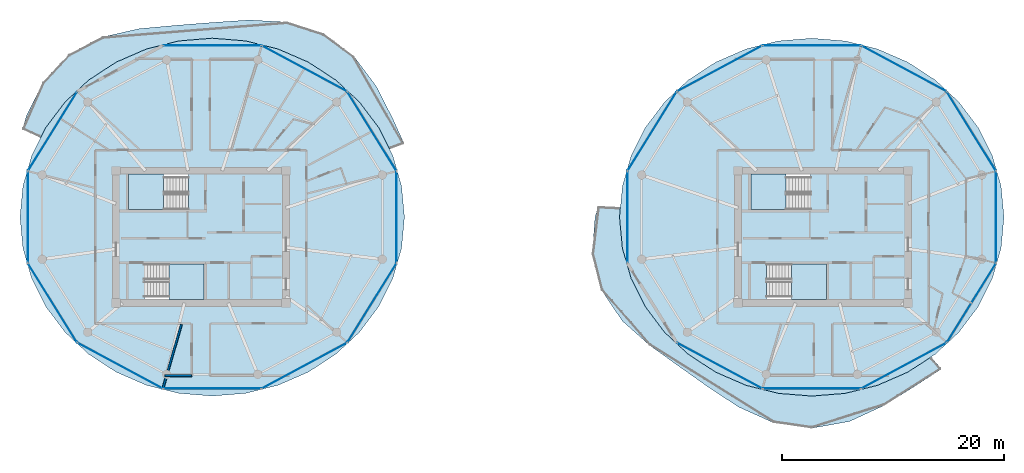
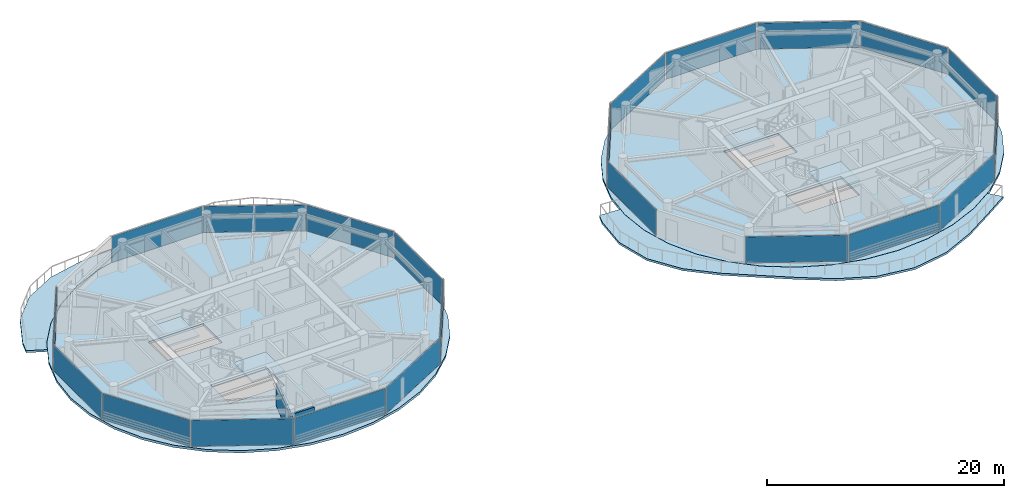
# One storey, part 11 of 21: 22 plates, 8 slabs, 2 walls, 26 elements without a shape of their own.
"""IFC4 building model written with IfcOpenShell, lengths in metres."""

from ifc_helpers import new_model, si_unit, direction, frame, frame_2d, origin, origin_2d, place, context, subcontext, project, spatial, polyline, rectangle, outline, extrude, source, transform, mapped, material, layer, layer_set, type_object, type_shapes, element, aggregate, save


model = new_model("IFC4")

# Units and contexts
model_context = context("Model", 3, precision=1e-05, world=origin(), true_north=direction((0.0, 1.0)))
body_context = subcontext(model_context, "Body", "Model", "MODEL_VIEW")
ifc_project = project(units=[si_unit("LENGTHUNIT", "METRE"), si_unit("AREAUNIT", "SQUARE_METRE"), si_unit("VOLUMEUNIT", "CUBIC_METRE"), si_unit("PLANEANGLEUNIT", "RADIAN"), si_unit("MASSUNIT", "GRAM", prefix="KILO")], contexts=[model_context])

# Site, building, storey
site_placement = place(None, origin())
site = spatial("IfcSite", under=ifc_project, at=site_placement, CompositionType="ELEMENT")
building_placement = place(site_placement, origin())
building = spatial("IfcBuilding", under=site, at=building_placement, Name="Norrkilde Senior Care Towers", CompositionType="ELEMENT")
storey_placement = place(building_placement, frame((0.0, 0.0, 149.550048828125)))
storey = spatial("IfcBuildingStorey", under=building, at=storey_placement, Name="L46", CompositionType="ELEMENT", Elevation=149.550048828125)

# Slabs
ifc_material_1 = material(Name="Concrete C50/60", Category="concrete")
ifc_layer_1 = layer(ifc_material_1, 0.215087890625)
ifc_layer_set_1 = layer_set([ifc_layer_1], Name="Concrete C50/60")
slab_type_1 = type_object("IfcSlabType", Name="Sinusoidal Balcony Ribbon Slab 215", PredefinedType="FLOOR", material=ifc_layer_set_1)
slab_1_placement = place(storey_placement, frame((0.0, 0.0, -0.215087890625)))
element("IfcSlab", 1, at=slab_1_placement, inside=storey, type_object=slab_type_1, Name="L46 Drum W Swirling Senior Balcony 1", PredefinedType="FLOOR", context=body_context, shape_type="SweptSolid", body=[
    extrude(outline(polyline([(-42.20556640625, 13.90771484375), (-39.87890625, 16.392822265625), (-36.846435546875, 17.991455078125), (-33.513427734375, 18.739501953125), (-30.21044921875, 19.040283203125), (-26.97509765625, 19.292236328125), (-23.661376953125, 19.516845703125), (-20.2373046875, 19.32763671875), (-16.954345703125, 18.269287109375), (-14.203857421875, 16.222900390625), (-12.184326171875, 13.510986328125), (-10.7197265625, 10.614990234375), (-9.71435546875, 8.389892578125), (-11.017822265625, 7.890380859375), (-11.988525390625, 9.827880859375), (-13.718505859375, 12.12744140625), (-15.8515625, 14.112548828125), (-18.322509765625, 15.72265625), (-21.056396484375, 16.9091796875), (-23.969970703125, 17.6357421875), (-26.97509765625, 17.88037109375), (-29.97998046875, 17.6357421875), (-32.8935546875, 16.9091796875), (-35.62744140625, 15.72265625), (-38.098388671875, 14.112548828125), (-40.2314453125, 12.12744140625), (-41.961669921875, 9.827880859375), (-42.4169921875, 8.9189453125), (-44.05908203125, 9.6787109375), (-43.694091796875, 10.90283203125), (-42.20556640625, 13.90771484375)])), origin(), (0.0, 0.0, 1.0), 0.215087890625),
])
slab_2_placement = place(storey_placement, frame((0.0, 0.0, -0.215087890625)))
element("IfcSlab", 2, at=slab_2_placement, inside=storey, type_object=slab_type_1, Name="L46 Drum E Swirling Senior Balcony 1", PredefinedType="FLOOR", context=body_context, shape_type="SweptSolid", body=[
    extrude(outline(polyline([(33.505126953125, -15.1640625), (30.393310546875, -16.604736328125), (26.97509765625, -17.220458984375), (23.53662109375, -16.72705078125), (20.3935546875, -15.315185546875), (17.615966796875, -13.4873046875), (15.009765625, -11.64013671875), (12.396484375, -9.76904296875), (9.919189453125, -7.56103515625), (8.04541015625, -4.776611328125), (7.21875, -1.53564453125), (7.468994140625, 1.775390625), (7.750244140625, 2.73095703125), (9.75048828125, 2.631591796875), (9.669921875, 1.775390625), (9.932861328125, -1.021240234375), (10.713623046875, -3.73291015625), (11.988525390625, -6.277099609375), (13.718505859375, -8.57666015625), (15.8515625, -10.561767578125), (18.322509765625, -12.171875), (21.056396484375, -13.3583984375), (23.969970703125, -14.0849609375), (26.97509765625, -14.32958984375), (29.97998046875, -14.0849609375), (32.8935546875, -13.3583984375), (35.62744140625, -12.171875), (37.718994140625, -10.80908203125), (38.646728515625, -11.895751953125), (36.295654296875, -13.415771484375), (33.505126953125, -15.1640625)])), origin(), (0.0, 0.0, 1.0), 0.215087890625),
])

# Stair, slab
ifc_material_2 = material(Name="Concrete C45/55", Category="concrete")
stair_type = type_object("IfcStairType", Name="Core Protected Dogleg Stair Typical 3050", PredefinedType="HALF_TURN_STAIR", material=ifc_material_2)
stair_1_placement = place(storey_placement, origin())
stair_1 = element("IfcStair", 3, at=stair_1_placement, inside=storey, type_object=stair_type, Name="L46 Protected Core Stair W1", PredefinedType="HALF_TURN_STAIR")
ifc_layer_2 = layer(ifc_material_2, 0.199951171875)
ifc_layer_set_2 = layer_set([ifc_layer_2], Name="Concrete C45/55")
slab_type_2 = type_object("IfcSlabType", Name="Stair Landing Slab 200", PredefinedType="LANDING", material=ifc_layer_set_2)
slab_3_placement = place(storey_placement, frame((0.0, 0.0, 1.324951171875)))
slab_3 = element("IfcSlab", 4, at=slab_3_placement, type_object=slab_type_2, Name="ST-W1 landing 1", PredefinedType="LANDING", context=body_context, shape_type="SweptSolid", body=[
    extrude(outline(polyline([(-31.340087890625, 5.639892578125), (-34.5, 5.639892578125), (-34.5, 2.449951171875), (-31.340087890625, 2.449951171875), (-31.340087890625, 5.639892578125)])), origin(), (0.0, 0.0, 1.0), 0.199951171875),
])
aggregate(stair_1, [slab_3])

stair_2_placement = place(storey_placement, origin())
stair_2 = element("IfcStair", 5, at=stair_2_placement, inside=storey, type_object=stair_type, Name="L46 Protected Core Stair W2", PredefinedType="HALF_TURN_STAIR")
slab_4_placement = place(storey_placement, frame((0.0, 0.0, 1.324951171875)))
slab_4 = element("IfcSlab", 6, at=slab_4_placement, type_object=slab_type_2, Name="ST-W2 landing 1", PredefinedType="LANDING", context=body_context, shape_type="SweptSolid", body=[
    extrude(outline(polyline([(-30.860107421875, -5.639892578125), (-27.699951171875, -5.639892578125), (-27.699951171875, -2.449951171875), (-30.860107421875, -2.449951171875), (-30.860107421875, -5.639892578125)])), origin(), (0.0, 0.0, 1.0), 0.199951171875),
])
aggregate(stair_2, [slab_4])

stair_3_placement = place(storey_placement, origin())
stair_3 = element("IfcStair", 7, at=stair_3_placement, inside=storey, type_object=stair_type, Name="L46 Protected Core Stair E1", PredefinedType="HALF_TURN_STAIR")
slab_5_placement = place(storey_placement, frame((0.0, 0.0, 1.324951171875)))
slab_5 = element("IfcSlab", 8, at=slab_5_placement, type_object=slab_type_2, Name="ST-E1 landing 1", PredefinedType="LANDING", context=body_context, shape_type="SweptSolid", body=[
    extrude(outline(polyline([(24.659912109375, 5.639892578125), (21.5, 5.639892578125), (21.5, 2.449951171875), (24.659912109375, 2.449951171875), (24.659912109375, 5.639892578125)])), origin(), (0.0, 0.0, 1.0), 0.199951171875),
])
aggregate(stair_3, [slab_5])

stair_4_placement = place(storey_placement, origin())
stair_4 = element("IfcStair", 9, at=stair_4_placement, inside=storey, type_object=stair_type, Name="L46 Protected Core Stair E2", PredefinedType="HALF_TURN_STAIR")
slab_6_placement = place(storey_placement, frame((0.0, 0.0, 1.324951171875)))
slab_6 = element("IfcSlab", 10, at=slab_6_placement, type_object=slab_type_2, Name="ST-E2 landing 1", PredefinedType="LANDING", context=body_context, shape_type="SweptSolid", body=[
    extrude(outline(polyline([(25.139892578125, -5.639892578125), (28.300048828125, -5.639892578125), (28.300048828125, -2.449951171875), (25.139892578125, -2.449951171875), (25.139892578125, -5.639892578125)])), origin(), (0.0, 0.0, 1.0), 0.199951171875),
])
aggregate(stair_4, [slab_6])

# Slabs
ifc_layer_3 = layer(ifc_material_1, 0.239990234375)
ifc_layer_set_3 = layer_set([ifc_layer_3], Name="Concrete C50/60")
slab_type_3 = type_object("IfcSlabType", Name="Tower Residence Floor Slab 240", PredefinedType="FLOOR", material=ifc_layer_set_3)
slab_7_placement = place(storey_placement, frame((0.0, 0.0, -0.239990234375)))
element("IfcSlab", 11, at=slab_7_placement, inside=storey, type_object=slab_type_3, Name="L46 Drum W Structural Floor Slab", PredefinedType="FLOOR", context=body_context, shape_type="SweptSolid", body=[
    extrude(outline(polyline([(-10.71826171875, -3.731201171875), (-11.99267578125, -6.274658203125), (-13.722412109375, -8.573486328125), (-15.854736328125, -10.557861328125), (-18.324951171875, -12.167724609375), (-21.05810546875, -13.353759765625), (-23.970947265625, -14.080078125), (-26.97509765625, -14.32470703125), (-29.97900390625, -14.080078125), (-32.891845703125, -13.353759765625), (-35.625, -12.167724609375), (-38.09521484375, -10.557861328125), (-40.2275390625, -8.573486328125), (-41.957275390625, -6.274658203125), (-43.231689453125, -3.731201171875), (-44.01220703125, -1.020263671875), (-44.27490234375, 1.775390625), (-44.01220703125, 4.571044921875), (-43.231689453125, 7.281982421875), (-41.957275390625, 9.825439453125), (-40.2275390625, 12.124267578125), (-38.09521484375, 14.108642578125), (-35.625, 15.71826171875), (-32.891845703125, 16.904296875), (-29.97900390625, 17.630859375), (-26.97509765625, 17.875244140625), (-23.970947265625, 17.630859375), (-21.05810546875, 16.904296875), (-18.324951171875, 15.71826171875), (-15.854736328125, 14.108642578125), (-13.722412109375, 12.124267578125), (-11.99267578125, 9.825439453125), (-10.71826171875, 7.281982421875), (-9.937744140625, 4.571044921875), (-9.675048828125, 1.775390625), (-9.937744140625, -1.020263671875), (-10.71826171875, -3.731201171875)]), holes=[polyline([(-34.48193359375, 2.468017578125), (-29.117919921875, 2.468017578125), (-29.117919921875, 5.639892578125), (-34.48193359375, 5.639892578125), (-34.48193359375, 2.468017578125)]), polyline([(-27.718017578125, -5.639892578125), (-27.718017578125, -2.468017578125), (-33.08203125, -2.468017578125), (-33.08203125, -5.639892578125), (-27.718017578125, -5.639892578125)])]), origin(), (0.0, 0.0, 1.0), 0.239990234375),
])
slab_8_placement = place(storey_placement, frame((0.0, 0.0, -0.239990234375)))
element("IfcSlab", 12, at=slab_8_placement, inside=storey, type_object=slab_type_3, Name="L46 Drum E Structural Floor Slab", PredefinedType="FLOOR", context=body_context, shape_type="SweptSolid", body=[
    extrude(outline(polyline([(43.231689453125, -3.731201171875), (41.957275390625, -6.274658203125), (40.2275390625, -8.573486328125), (38.09521484375, -10.557861328125), (35.625, -12.167724609375), (32.891845703125, -13.353759765625), (29.97900390625, -14.080078125), (26.97509765625, -14.32470703125), (23.970947265625, -14.080078125), (21.05810546875, -13.353759765625), (18.324951171875, -12.167724609375), (15.854736328125, -10.557861328125), (13.722412109375, -8.573486328125), (11.99267578125, -6.274658203125), (10.71826171875, -3.731201171875), (9.937744140625, -1.020263671875), (9.675048828125, 1.775390625), (9.937744140625, 4.571044921875), (10.71826171875, 7.281982421875), (11.99267578125, 9.825439453125), (13.722412109375, 12.124267578125), (15.854736328125, 14.108642578125), (18.324951171875, 15.71826171875), (21.05810546875, 16.904296875), (23.970947265625, 17.630859375), (26.97509765625, 17.875244140625), (29.97900390625, 17.630859375), (32.891845703125, 16.904296875), (35.625, 15.71826171875), (38.09521484375, 14.108642578125), (40.2275390625, 12.124267578125), (41.957275390625, 9.825439453125), (43.231689453125, 7.281982421875), (44.01220703125, 4.571044921875), (44.27490234375, 1.775390625), (44.01220703125, -1.020263671875), (43.231689453125, -3.731201171875)]), holes=[polyline([(21.51806640625, 2.468017578125), (26.882080078125, 2.468017578125), (26.882080078125, 5.639892578125), (21.51806640625, 5.639892578125), (21.51806640625, 2.468017578125)]), polyline([(28.281982421875, -5.639892578125), (28.281982421875, -2.468017578125), (22.91796875, -2.468017578125), (22.91796875, -5.639892578125), (28.281982421875, -5.639892578125)])]), origin(), (0.0, 0.0, 1.0), 0.239990234375),
])

# Curtain wall, plate
ifc_material_3 = material(Name="Triple Low-E Insulated Glazing", Category="glass")
ifc_layer_4 = layer(ifc_material_3, 0.18994140625)
ifc_layer_set_4 = layer_set([ifc_layer_4], Name="Triple Low-E Insulated Glazing")
curtain_wall_type = type_object("IfcCurtainWallType", Name="CW4 Zone 3 Senior Residence Curtain Wall", PredefinedType="NOTDEFINED", material=ifc_layer_set_4)
curtain_wall_1_placement = place(storey_placement, origin())
curtain_wall_1 = element("IfcCurtainWall", 13, at=curtain_wall_1_placement, inside=storey, type_object=curtain_wall_type, Name="L46 Drum W Curtain Wall 00", PredefinedType="NOTDEFINED")
ifc_layer_5 = layer(ifc_material_3, 0.035888671875)
ifc_layer_set_5 = layer_set([ifc_layer_5], Name="Triple Low-E Insulated Glazing")
plate_type = type_object("IfcPlateType", Name="Triple Low-E Vision Curtain Panel 36", PredefinedType="CURTAIN_PANEL", material=ifc_layer_set_5)
shared_shape_1 = source(origin(), body_context, "Body", "SweptSolid", [
    extrude(rectangle(XDim=8.301513671875, YDim=0.035888671875, at=origin_2d()), origin(), (0.0, 0.0, 1.0), 2.68994140625),
])
plate_1_placement = place(storey_placement, frame((-12.603759765625, 9.4931640625, 0.06005859375), z_axis=(0.0, 0.0, 1.0), x_axis=(0.52737270789, -0.84963405474, 0.0)))
plate_1 = element("IfcPlate", 14, at=plate_1_placement, type_object=plate_type, Name="CW-4 panel 1.1", PredefinedType="CURTAIN_PANEL", context=body_context, shape_type="MappedRepresentation", body=[
    mapped(shared_shape_1, transform((0.0, 0.0, 0.0), x_axis=(1.0, 0.0, 0.0), y_axis=(0.0, 1.0, 0.0), z_axis=(0.0, 0.0, 1.0), scale=1.0)),
])
aggregate(curtain_wall_1, [plate_1])

curtain_wall_2_placement = place(storey_placement, origin())
curtain_wall_2 = element("IfcCurtainWall", 15, at=curtain_wall_2_placement, inside=storey, type_object=curtain_wall_type, Name="L46 Drum W Curtain Wall 04", PredefinedType="NOTDEFINED")
plate_2_placement = place(storey_placement, frame((-41.346435546875, 9.4931640625, 0.06005859375), z_axis=(0.0, 0.0, 1.0), x_axis=(0.52737270789, 0.84963405474, 0.0)))
plate_2 = element("IfcPlate", 16, at=plate_2_placement, type_object=plate_type, Name="CW-4 panel 1.1", PredefinedType="CURTAIN_PANEL", context=body_context, shape_type="MappedRepresentation", body=[
    mapped(shared_shape_1, transform((0.0, 0.0, 0.0), x_axis=(1.0, 0.0, 0.0), y_axis=(0.0, 1.0, 0.0), z_axis=(0.0, 0.0, 1.0), scale=1.0)),
])
aggregate(curtain_wall_2, [plate_2])

curtain_wall_3_placement = place(storey_placement, origin())
curtain_wall_3 = element("IfcCurtainWall", 17, at=curtain_wall_3_placement, inside=storey, type_object=curtain_wall_type, Name="L46 Drum W Curtain Wall 06", PredefinedType="NOTDEFINED")
plate_3_placement = place(storey_placement, frame((-41.346435546875, -5.9423828125, 0.06005859375), z_axis=(0.0, 0.0, 1.0), x_axis=(-0.52737270789, 0.84963405474, 0.0)))
plate_3 = element("IfcPlate", 18, at=plate_3_placement, type_object=plate_type, Name="CW-4 panel 1.1", PredefinedType="CURTAIN_PANEL", context=body_context, shape_type="MappedRepresentation", body=[
    mapped(shared_shape_1, transform((0.0, 0.0, 0.0), x_axis=(1.0, 0.0, 0.0), y_axis=(0.0, 1.0, 0.0), z_axis=(0.0, 0.0, 1.0), scale=1.0)),
])
aggregate(curtain_wall_3, [plate_3])

curtain_wall_4_placement = place(storey_placement, origin())
curtain_wall_4 = element("IfcCurtainWall", 19, at=curtain_wall_4_placement, inside=storey, type_object=curtain_wall_type, Name="L46 Drum W Curtain Wall 10", PredefinedType="NOTDEFINED")
plate_4_placement = place(storey_placement, frame((-12.603759765625, -5.9423828125, 0.06005859375), z_axis=(0.0, 0.0, 1.0), x_axis=(-0.52737270789, -0.84963405474, 0.0)))
plate_4 = element("IfcPlate", 20, at=plate_4_placement, type_object=plate_type, Name="CW-4 panel 1.1", PredefinedType="CURTAIN_PANEL", context=body_context, shape_type="MappedRepresentation", body=[
    mapped(shared_shape_1, transform((0.0, 0.0, 0.0), x_axis=(1.0, 0.0, 0.0), y_axis=(0.0, 1.0, 0.0), z_axis=(0.0, 0.0, 1.0), scale=1.0)),
])
aggregate(curtain_wall_4, [plate_4])

curtain_wall_5_placement = place(storey_placement, origin())
curtain_wall_5 = element("IfcCurtainWall", 21, at=curtain_wall_5_placement, inside=storey, type_object=curtain_wall_type, Name="L46 Drum E Curtain Wall 00", PredefinedType="NOTDEFINED")
plate_5_placement = place(storey_placement, frame((41.346435546875, 9.4931640625, 0.06005859375), z_axis=(0.0, 0.0, 1.0), x_axis=(0.52737270789, -0.84963405474, 0.0)))
plate_5 = element("IfcPlate", 22, at=plate_5_placement, type_object=plate_type, Name="CW-4 panel 1.1", PredefinedType="CURTAIN_PANEL", context=body_context, shape_type="MappedRepresentation", body=[
    mapped(shared_shape_1, transform((0.0, 0.0, 0.0), x_axis=(1.0, 0.0, 0.0), y_axis=(0.0, 1.0, 0.0), z_axis=(0.0, 0.0, 1.0), scale=1.0)),
])
aggregate(curtain_wall_5, [plate_5])

curtain_wall_6_placement = place(storey_placement, origin())
curtain_wall_6 = element("IfcCurtainWall", 23, at=curtain_wall_6_placement, inside=storey, type_object=curtain_wall_type, Name="L46 Drum E Curtain Wall 04", PredefinedType="NOTDEFINED")
plate_6_placement = place(storey_placement, frame((12.603759765625, 9.4931640625, 0.06005859375), z_axis=(0.0, 0.0, 1.0), x_axis=(0.52737270789, 0.84963405474, 0.0)))
plate_6 = element("IfcPlate", 24, at=plate_6_placement, type_object=plate_type, Name="CW-4 panel 1.1", PredefinedType="CURTAIN_PANEL", context=body_context, shape_type="MappedRepresentation", body=[
    mapped(shared_shape_1, transform((0.0, 0.0, 0.0), x_axis=(1.0, 0.0, 0.0), y_axis=(0.0, 1.0, 0.0), z_axis=(0.0, 0.0, 1.0), scale=1.0)),
])
aggregate(curtain_wall_6, [plate_6])

curtain_wall_7_placement = place(storey_placement, origin())
curtain_wall_7 = element("IfcCurtainWall", 25, at=curtain_wall_7_placement, inside=storey, type_object=curtain_wall_type, Name="L46 Drum E Curtain Wall 10", PredefinedType="NOTDEFINED")
plate_7_placement = place(storey_placement, frame((41.346435546875, -5.9423828125, 0.06005859375), z_axis=(0.0, 0.0, 1.0), x_axis=(-0.52737270789, -0.84963405474, 0.0)))
plate_7 = element("IfcPlate", 26, at=plate_7_placement, type_object=plate_type, Name="CW-4 panel 1.1", PredefinedType="CURTAIN_PANEL", context=body_context, shape_type="MappedRepresentation", body=[
    mapped(shared_shape_1, transform((0.0, 0.0, 0.0), x_axis=(1.0, 0.0, 0.0), y_axis=(0.0, 1.0, 0.0), z_axis=(0.0, 0.0, 1.0), scale=1.0)),
])
aggregate(curtain_wall_7, [plate_7])

curtain_wall_8_placement = place(storey_placement, origin())
curtain_wall_8 = element("IfcCurtainWall", 27, at=curtain_wall_8_placement, inside=storey, type_object=curtain_wall_type, Name="L46 Drum W Curtain Wall 01", PredefinedType="NOTDEFINED")
shared_shape_2 = source(origin(), body_context, "Body", "SweptSolid", [
    extrude(rectangle(XDim=8.61181640625, YDim=0.035888671875, at=origin_2d()), origin(), (0.0, 0.0, 1.0), 2.68994140625),
])
plate_8_placement = place(storey_placement, frame((-18.677734375, 15.142822265625, 0.06005859375), z_axis=(0.0, 0.0, 1.0), x_axis=(0.880999524059, -0.47311715104, 0.0)))
plate_8 = element("IfcPlate", 28, at=plate_8_placement, type_object=plate_type, Name="CW-4 panel 1.1", PredefinedType="CURTAIN_PANEL", context=body_context, shape_type="MappedRepresentation", body=[
    mapped(shared_shape_2, transform((0.0, 0.0, 0.0), x_axis=(1.0, 0.0, 0.0), y_axis=(0.0, 1.0, 0.0), z_axis=(0.0, 0.0, 1.0), scale=1.0)),
])
aggregate(curtain_wall_8, [plate_8])

curtain_wall_9_placement = place(storey_placement, origin())
curtain_wall_9 = element("IfcCurtainWall", 29, at=curtain_wall_9_placement, inside=storey, type_object=curtain_wall_type, Name="L46 Drum W Curtain Wall 07", PredefinedType="NOTDEFINED")
plate_9_placement = place(storey_placement, frame((-35.272216796875, -11.59228515625, 0.06005859375), z_axis=(0.0, 0.0, 1.0), x_axis=(-0.880999524059, 0.47311715104, 0.0)))
plate_9 = element("IfcPlate", 30, at=plate_9_placement, type_object=plate_type, Name="CW-4 panel 1.1", PredefinedType="CURTAIN_PANEL", context=body_context, shape_type="MappedRepresentation", body=[
    mapped(shared_shape_2, transform((0.0, 0.0, 0.0), x_axis=(1.0, 0.0, 0.0), y_axis=(0.0, 1.0, 0.0), z_axis=(0.0, 0.0, 1.0), scale=1.0)),
])
aggregate(curtain_wall_9, [plate_9])

curtain_wall_10_placement = place(storey_placement, origin())
curtain_wall_10 = element("IfcCurtainWall", 31, at=curtain_wall_10_placement, inside=storey, type_object=curtain_wall_type, Name="L46 Drum W Curtain Wall 09", PredefinedType="NOTDEFINED")
plate_10_placement = place(storey_placement, frame((-18.677734375, -11.59228515625, 0.06005859375), z_axis=(0.0, 0.0, 1.0), x_axis=(-0.880999524059, -0.47311715104, 0.0)))
plate_10 = element("IfcPlate", 32, at=plate_10_placement, type_object=plate_type, Name="CW-4 panel 1.1", PredefinedType="CURTAIN_PANEL", context=body_context, shape_type="MappedRepresentation", body=[
    mapped(shared_shape_2, transform((0.0, 0.0, 0.0), x_axis=(1.0, 0.0, 0.0), y_axis=(0.0, 1.0, 0.0), z_axis=(0.0, 0.0, 1.0), scale=1.0)),
])
aggregate(curtain_wall_10, [plate_10])

curtain_wall_11_placement = place(storey_placement, origin())
curtain_wall_11 = element("IfcCurtainWall", 33, at=curtain_wall_11_placement, inside=storey, type_object=curtain_wall_type, Name="L46 Drum E Curtain Wall 01", PredefinedType="NOTDEFINED")
plate_11_placement = place(storey_placement, frame((35.272216796875, 15.142822265625, 0.06005859375), z_axis=(0.0, 0.0, 1.0), x_axis=(0.880999524059, -0.47311715104, 0.0)))
plate_11 = element("IfcPlate", 34, at=plate_11_placement, type_object=plate_type, Name="CW-4 panel 1.1", PredefinedType="CURTAIN_PANEL", context=body_context, shape_type="MappedRepresentation", body=[
    mapped(shared_shape_2, transform((0.0, 0.0, 0.0), x_axis=(1.0, 0.0, 0.0), y_axis=(0.0, 1.0, 0.0), z_axis=(0.0, 0.0, 1.0), scale=1.0)),
])
aggregate(curtain_wall_11, [plate_11])

curtain_wall_12_placement = place(storey_placement, origin())
curtain_wall_12 = element("IfcCurtainWall", 35, at=curtain_wall_12_placement, inside=storey, type_object=curtain_wall_type, Name="L46 Drum E Curtain Wall 03", PredefinedType="NOTDEFINED")
plate_12_placement = place(storey_placement, frame((18.677734375, 15.142822265625, 0.06005859375), z_axis=(0.0, 0.0, 1.0), x_axis=(0.880999524059, 0.47311715104, 0.0)))
plate_12 = element("IfcPlate", 36, at=plate_12_placement, type_object=plate_type, Name="CW-4 panel 1.1", PredefinedType="CURTAIN_PANEL", context=body_context, shape_type="MappedRepresentation", body=[
    mapped(shared_shape_2, transform((0.0, 0.0, 0.0), x_axis=(1.0, 0.0, 0.0), y_axis=(0.0, 1.0, 0.0), z_axis=(0.0, 0.0, 1.0), scale=1.0)),
])
aggregate(curtain_wall_12, [plate_12])

curtain_wall_13_placement = place(storey_placement, origin())
curtain_wall_13 = element("IfcCurtainWall", 37, at=curtain_wall_13_placement, inside=storey, type_object=curtain_wall_type, Name="L46 Drum E Curtain Wall 07", PredefinedType="NOTDEFINED")
plate_13_placement = place(storey_placement, frame((18.677734375, -11.59228515625, 0.06005859375), z_axis=(0.0, 0.0, 1.0), x_axis=(-0.880999524059, 0.47311715104, 0.0)))
plate_13 = element("IfcPlate", 38, at=plate_13_placement, type_object=plate_type, Name="CW-4 panel 1.1", PredefinedType="CURTAIN_PANEL", context=body_context, shape_type="MappedRepresentation", body=[
    mapped(shared_shape_2, transform((0.0, 0.0, 0.0), x_axis=(1.0, 0.0, 0.0), y_axis=(0.0, 1.0, 0.0), z_axis=(0.0, 0.0, 1.0), scale=1.0)),
])
aggregate(curtain_wall_13, [plate_13])

curtain_wall_14_placement = place(storey_placement, origin())
curtain_wall_14 = element("IfcCurtainWall", 39, at=curtain_wall_14_placement, inside=storey, type_object=curtain_wall_type, Name="L46 Drum E Curtain Wall 09", PredefinedType="NOTDEFINED")
plate_14_placement = place(storey_placement, frame((35.272216796875, -11.59228515625, 0.06005859375), z_axis=(0.0, 0.0, 1.0), x_axis=(-0.880999524059, -0.47311715104, 0.0)))
plate_14 = element("IfcPlate", 40, at=plate_14_placement, type_object=plate_type, Name="CW-4 panel 1.1", PredefinedType="CURTAIN_PANEL", context=body_context, shape_type="MappedRepresentation", body=[
    mapped(shared_shape_2, transform((0.0, 0.0, 0.0), x_axis=(1.0, 0.0, 0.0), y_axis=(0.0, 1.0, 0.0), z_axis=(0.0, 0.0, 1.0), scale=1.0)),
])
aggregate(curtain_wall_14, [plate_14])

curtain_wall_15_placement = place(storey_placement, origin())
curtain_wall_15 = element("IfcCurtainWall", 41, at=curtain_wall_15_placement, inside=storey, type_object=curtain_wall_type, Name="L46 Drum W Curtain Wall 02", PredefinedType="NOTDEFINED")
shared_shape_3 = source(origin(), body_context, "Body", "SweptSolid", [
    extrude(rectangle(XDim=8.762939453125, YDim=0.035888671875, at=origin_2d()), origin(), (0.0, 0.0, 1.0), 2.68994140625),
])
plate_15_placement = place(storey_placement, frame((-26.97509765625, 17.2109375, 0.06005859375), z_axis=(0.0, 0.0, 1.0), x_axis=(1.0, 0.0, 0.0)))
plate_15 = element("IfcPlate", 42, at=plate_15_placement, type_object=plate_type, Name="CW-4 panel 1.1", PredefinedType="CURTAIN_PANEL", context=body_context, shape_type="MappedRepresentation", body=[
    mapped(shared_shape_3, transform((0.0, 0.0, 0.0), x_axis=(1.0, 0.0, 0.0), y_axis=(0.0, 1.0, 0.0), z_axis=(0.0, 0.0, 1.0), scale=1.0)),
])
aggregate(curtain_wall_15, [plate_15])

curtain_wall_16_placement = place(storey_placement, origin())
curtain_wall_16 = element("IfcCurtainWall", 43, at=curtain_wall_16_placement, inside=storey, type_object=curtain_wall_type, Name="L46 Drum W Curtain Wall 08", PredefinedType="NOTDEFINED")
plate_16_placement = place(storey_placement, frame((-26.97509765625, -13.66015625, 0.06005859375), z_axis=(0.0, 0.0, 1.0), x_axis=(-1.0, 0.0, 0.0)))
plate_16 = element("IfcPlate", 44, at=plate_16_placement, type_object=plate_type, Name="CW-4 panel 1.1", PredefinedType="CURTAIN_PANEL", context=body_context, shape_type="MappedRepresentation", body=[
    mapped(shared_shape_3, transform((0.0, 0.0, 0.0), x_axis=(1.0, 0.0, 0.0), y_axis=(0.0, 1.0, 0.0), z_axis=(0.0, 0.0, 1.0), scale=1.0)),
])
aggregate(curtain_wall_16, [plate_16])

curtain_wall_17_placement = place(storey_placement, origin())
curtain_wall_17 = element("IfcCurtainWall", 45, at=curtain_wall_17_placement, inside=storey, type_object=curtain_wall_type, Name="L46 Drum E Curtain Wall 02", PredefinedType="NOTDEFINED")
plate_17_placement = place(storey_placement, frame((26.97509765625, 17.2109375, 0.06005859375), z_axis=(0.0, 0.0, 1.0), x_axis=(1.0, 0.0, 0.0)))
plate_17 = element("IfcPlate", 46, at=plate_17_placement, type_object=plate_type, Name="CW-4 panel 1.1", PredefinedType="CURTAIN_PANEL", context=body_context, shape_type="MappedRepresentation", body=[
    mapped(shared_shape_3, transform((0.0, 0.0, 0.0), x_axis=(1.0, 0.0, 0.0), y_axis=(0.0, 1.0, 0.0), z_axis=(0.0, 0.0, 1.0), scale=1.0)),
])
aggregate(curtain_wall_17, [plate_17])

curtain_wall_18_placement = place(storey_placement, origin())
curtain_wall_18 = element("IfcCurtainWall", 47, at=curtain_wall_18_placement, inside=storey, type_object=curtain_wall_type, Name="L46 Drum E Curtain Wall 08", PredefinedType="NOTDEFINED")
plate_18_placement = place(storey_placement, frame((26.97509765625, -13.66015625, 0.06005859375), z_axis=(0.0, 0.0, 1.0), x_axis=(-1.0, 0.0, 0.0)))
plate_18 = element("IfcPlate", 48, at=plate_18_placement, type_object=plate_type, Name="CW-4 panel 1.1", PredefinedType="CURTAIN_PANEL", context=body_context, shape_type="MappedRepresentation", body=[
    mapped(shared_shape_3, transform((0.0, 0.0, 0.0), x_axis=(1.0, 0.0, 0.0), y_axis=(0.0, 1.0, 0.0), z_axis=(0.0, 0.0, 1.0), scale=1.0)),
])
aggregate(curtain_wall_18, [plate_18])

curtain_wall_19_placement = place(storey_placement, origin())
curtain_wall_19 = element("IfcCurtainWall", 49, at=curtain_wall_19_placement, inside=storey, type_object=curtain_wall_type, Name="L46 Drum W Curtain Wall 05", PredefinedType="NOTDEFINED")
shared_shape_4 = source(origin(), body_context, "Body", "SweptSolid", [
    extrude(rectangle(XDim=8.141845703125, YDim=0.035888671875, at=origin_2d()), origin(), (0.0, 0.0, 1.0), 2.68994140625),
])
type_shapes(plate_type, [shared_shape_1, shared_shape_2, shared_shape_3, shared_shape_4])
plate_19_placement = place(storey_placement, frame((-43.569580078125, 1.775390625, 0.06005859375), z_axis=(0.0, 0.0, 1.0), x_axis=(0.0, 1.0, 0.0)))
plate_19 = element("IfcPlate", 50, at=plate_19_placement, type_object=plate_type, Name="CW-4 panel 1.1", PredefinedType="CURTAIN_PANEL", context=body_context, shape_type="MappedRepresentation", body=[
    mapped(shared_shape_4, transform((0.0, 0.0, 0.0), x_axis=(1.0, 0.0, 0.0), y_axis=(0.0, 1.0, 0.0), z_axis=(0.0, 0.0, 1.0), scale=1.0)),
])
aggregate(curtain_wall_19, [plate_19])

curtain_wall_20_placement = place(storey_placement, origin())
curtain_wall_20 = element("IfcCurtainWall", 51, at=curtain_wall_20_placement, inside=storey, type_object=curtain_wall_type, Name="L46 Drum W Curtain Wall 11", PredefinedType="NOTDEFINED")
plate_20_placement = place(storey_placement, frame((-10.38037109375, 1.775390625, 0.06005859375), z_axis=(0.0, 0.0, 1.0), x_axis=(0.0, -1.0, 0.0)))
plate_20 = element("IfcPlate", 52, at=plate_20_placement, type_object=plate_type, Name="CW-4 panel 1.1", PredefinedType="CURTAIN_PANEL", context=body_context, shape_type="MappedRepresentation", body=[
    mapped(shared_shape_4, transform((0.0, 0.0, 0.0), x_axis=(1.0, 0.0, 0.0), y_axis=(0.0, 1.0, 0.0), z_axis=(0.0, 0.0, 1.0), scale=1.0)),
])
aggregate(curtain_wall_20, [plate_20])

curtain_wall_21_placement = place(storey_placement, origin())
curtain_wall_21 = element("IfcCurtainWall", 53, at=curtain_wall_21_placement, inside=storey, type_object=curtain_wall_type, Name="L46 Drum E Curtain Wall 05", PredefinedType="NOTDEFINED")
plate_21_placement = place(storey_placement, frame((10.38037109375, 1.775390625, 0.06005859375), z_axis=(0.0, 0.0, 1.0), x_axis=(0.0, 1.0, 0.0)))
plate_21 = element("IfcPlate", 54, at=plate_21_placement, type_object=plate_type, Name="CW-4 panel 1.1", PredefinedType="CURTAIN_PANEL", context=body_context, shape_type="MappedRepresentation", body=[
    mapped(shared_shape_4, transform((0.0, 0.0, 0.0), x_axis=(1.0, 0.0, 0.0), y_axis=(0.0, 1.0, 0.0), z_axis=(0.0, 0.0, 1.0), scale=1.0)),
])
aggregate(curtain_wall_21, [plate_21])

curtain_wall_22_placement = place(storey_placement, origin())
curtain_wall_22 = element("IfcCurtainWall", 55, at=curtain_wall_22_placement, inside=storey, type_object=curtain_wall_type, Name="L46 Drum E Curtain Wall 11", PredefinedType="NOTDEFINED")
plate_22_placement = place(storey_placement, frame((43.569580078125, 1.775390625, 0.06005859375), z_axis=(0.0, 0.0, 1.0), x_axis=(0.0, -1.0, 0.0)))
plate_22 = element("IfcPlate", 56, at=plate_22_placement, type_object=plate_type, Name="CW-4 panel 1.1", PredefinedType="CURTAIN_PANEL", context=body_context, shape_type="MappedRepresentation", body=[
    mapped(shared_shape_4, transform((0.0, 0.0, 0.0), x_axis=(1.0, 0.0, 0.0), y_axis=(0.0, 1.0, 0.0), z_axis=(0.0, 0.0, 1.0), scale=1.0)),
])
aggregate(curtain_wall_22, [plate_22])

# Walls
ifc_material_4 = material(Name="Gypsum Acoustic Board")
ifc_layer_6 = layer(ifc_material_4, 0.1650390625)
ifc_layer_set_6 = layer_set([ifc_layer_6], Name="Gypsum Acoustic Board")
wall_type = type_object("IfcWallType", Name="Corridor Rated Partition 165", PredefinedType="PARTITIONING", material=ifc_layer_set_6)
shared_shape_5 = source(origin(), body_context, "Body", "SweptSolid", [
    extrude(rectangle(XDim=6.035400390625, YDim=0.1650390625, at=frame_2d((3.017578125, 0.0))), origin(), (0.0, 0.0, 1.0), 2.344970703125),
])
wall_1_placement = place(storey_placement, frame((-29.756103515625, -7.8798828125, 0.0), z_axis=(0.0, 0.0, 1.0), x_axis=(-0.276809454862, -0.960924828329, 0.0)))
element("IfcWall", 57, at=wall_1_placement, inside=storey, type_object=wall_type, Name="WL-INT-L46-W-DEM-08-0", PredefinedType="PARTITIONING", context=body_context, shape_type="MappedRepresentation", body=[
    mapped(shared_shape_5, transform((0.0, 0.0, 0.0), x_axis=(1.0, 0.0, 0.0), y_axis=(0.0, 1.0, 0.0), z_axis=(0.0, 0.0, 1.0), scale=1.0)),
])
shared_shape_6 = source(origin(), body_context, "Body", "SweptSolid", [
    extrude(rectangle(XDim=2.418701171875, YDim=0.1650390625, at=frame_2d((1.20947265625, 0.0))), origin(), (0.0, 0.0, 1.0), 2.344970703125),
])
type_shapes(wall_type, [shared_shape_5, shared_shape_6])
wall_2_placement = place(storey_placement, frame((-31.23876953125, -12.484619140625, 0.0), z_axis=(0.0, 0.0, 1.0), x_axis=(1.0, 0.0, 0.0)))
element("IfcWall", 58, at=wall_2_placement, inside=storey, type_object=wall_type, Name="WL-INT-L46-W-PKH-SWL-0", PredefinedType="PARTITIONING", context=body_context, shape_type="MappedRepresentation", body=[
    mapped(shared_shape_6, transform((0.0, 0.0, 0.0), x_axis=(1.0, 0.0, 0.0), y_axis=(0.0, 1.0, 0.0), z_axis=(0.0, 0.0, 1.0), scale=1.0)),
])

save(model, "model.ifc")
